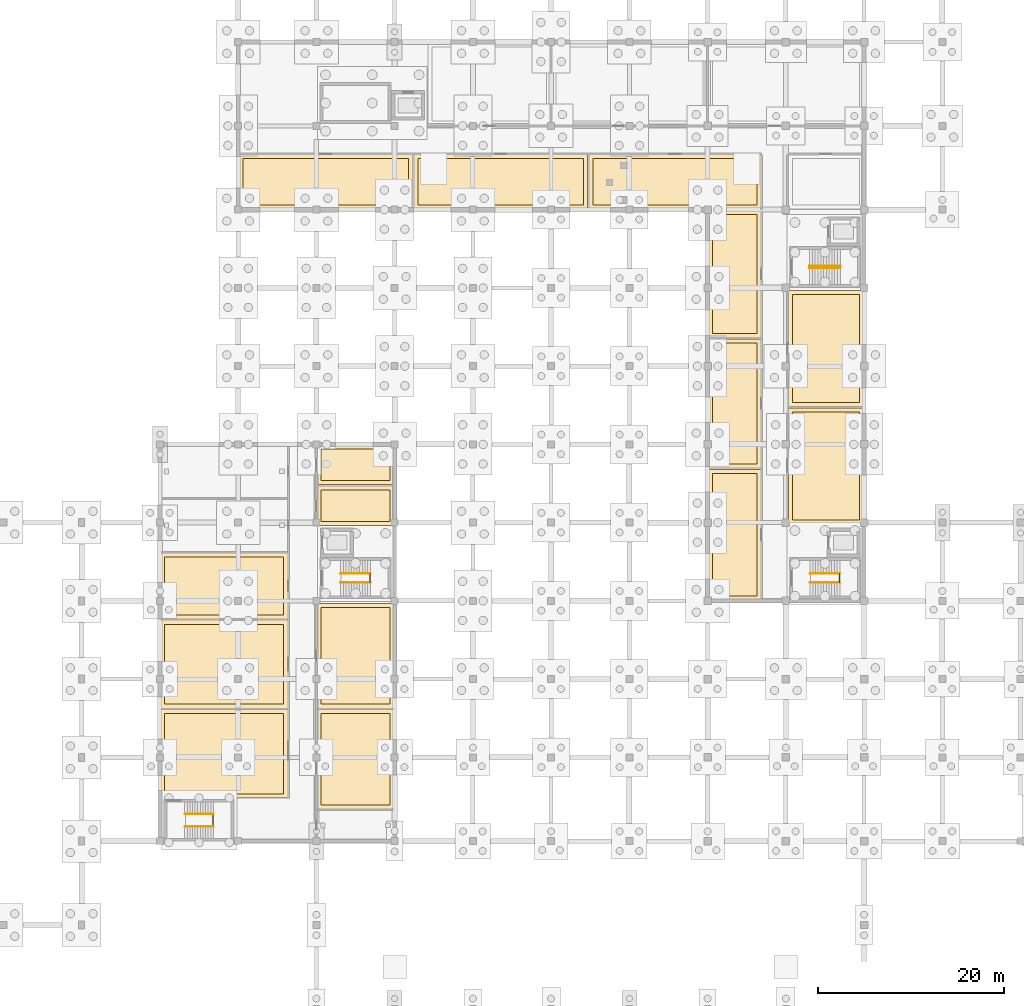
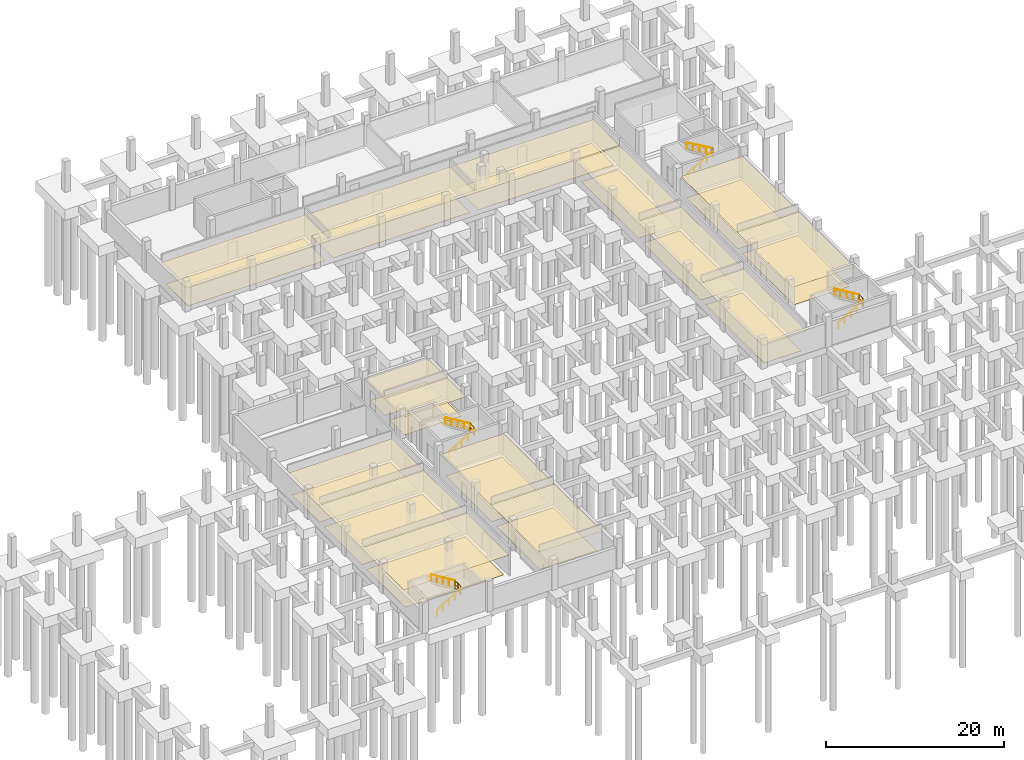
# One storey, part 17 of 20: 30 coverings, 11 railings.
"""IFC4 building model written with IfcOpenShell, lengths in metres."""

from ifc_helpers import new_model, si_unit, direction, frame, origin, origin_2d, place, context, subcontext, project, spatial, polyline, circle, outline, extrude, material, layer, layer_set, type_object, element, save


model = new_model("IFC4")

# Units and contexts
model_context = context("Model", 3, precision=1e-05, world=origin(), true_north=direction((0.0, 1.0)))
body_context = subcontext(model_context, "Body", "Model", "MODEL_VIEW")
ifc_project = project(units=[si_unit("LENGTHUNIT", "METRE"), si_unit("AREAUNIT", "SQUARE_METRE"), si_unit("VOLUMEUNIT", "CUBIC_METRE"), si_unit("PLANEANGLEUNIT", "RADIAN"), si_unit("MASSUNIT", "GRAM", prefix="KILO")], contexts=[model_context])

# Site, building, storey
site_placement = place(None, origin())
site = spatial("IfcSite", under=ifc_project, at=site_placement, CompositionType="ELEMENT")
building_placement = place(site_placement, origin())
building = spatial("IfcBuilding", under=site, at=building_placement, Name="Vireocrest Preparatory School", CompositionType="ELEMENT")
storey_placement = place(building_placement, frame((0.0, 0.0, -4.199951171875)))
storey = spatial("IfcBuildingStorey", under=building, at=storey_placement, Name="B01", CompositionType="ELEMENT", Elevation=-4.199951171875)

# Coverings
ifc_material_1 = material(Name="Mineral fibre acoustic ceiling tile")
ifc_layer_1 = layer(ifc_material_1, 0.02490234375)
ifc_layer_set_1 = layer_set([ifc_layer_1], Name="Mineral fibre acoustic ceiling tile")
covering_type_1 = type_object("IfcCoveringType", Name="Acoustic Mineral-Fibre Suspended Ceiling", PredefinedType="CEILING", material=ifc_layer_set_1)
covering_1_placement = place(storey_placement, frame((0.0, 0.0, 2.800048828125)))
element("IfcCovering", 1, at=covering_1_placement, inside=storey, type_object=covering_type_1, Name="Suspended Acoustic Ceiling B01-WW01", PredefinedType="CEILING", context=body_context, shape_type="SweptSolid", body=[
    extrude(outline(polyline([(33.669921875, 22.6201171875), (47.330078125, 22.6201171875), (47.330078125, 32.1298828125), (33.669921875, 32.1298828125), (33.669921875, 22.6201171875)])), origin(), (0.0, 0.0, 1.0), 0.02490234375),
])
covering_2_placement = place(storey_placement, frame((0.0, 0.0, 2.800048828125)))
element("IfcCovering", 2, at=covering_2_placement, inside=storey, type_object=covering_type_1, Name="Suspended Acoustic Ceiling B01-WW02", PredefinedType="CEILING", context=body_context, shape_type="SweptSolid", body=[
    extrude(outline(polyline([(33.669921875, 32.27001953125), (47.330078125, 32.27001953125), (47.330078125, 41.72998046875), (33.669921875, 41.72998046875), (33.669921875, 32.27001953125)])), origin(), (0.0, 0.0, 1.0), 0.02490234375),
])
covering_3_placement = place(storey_placement, frame((0.0, 0.0, 2.800048828125)))
element("IfcCovering", 3, at=covering_3_placement, inside=storey, type_object=covering_type_1, Name="Suspended Acoustic Ceiling B01-WW03", PredefinedType="CEILING", context=body_context, shape_type="SweptSolid", body=[
    extrude(outline(polyline([(33.669921875, 41.8701171875), (47.330078125, 41.8701171875), (47.330078125, 48.929931640625), (33.669921875, 48.929931640625), (33.669921875, 41.8701171875)])), origin(), (0.0, 0.0, 1.0), 0.02490234375),
])
covering_4_placement = place(storey_placement, frame((0.0, 0.0, 2.800048828125)))
element("IfcCovering", 4, at=covering_4_placement, inside=storey, type_object=covering_type_1, Name="Suspended Acoustic Ceiling B01-WE02", PredefinedType="CEILING", context=body_context, shape_type="SweptSolid", body=[
    extrude(outline(polyline([(50.469970703125, 21.469970703125), (58.72998046875, 21.469970703125), (58.72998046875, 32.1298828125), (50.469970703125, 32.1298828125), (50.469970703125, 21.469970703125)])), origin(), (0.0, 0.0, 1.0), 0.02490234375),
])
covering_5_placement = place(storey_placement, frame((0.0, 0.0, 2.800048828125)))
element("IfcCovering", 5, at=covering_5_placement, inside=storey, type_object=covering_type_1, Name="Suspended Acoustic Ceiling B01-WE03", PredefinedType="CEILING", context=body_context, shape_type="SweptSolid", body=[
    extrude(outline(polyline([(50.469970703125, 32.27001953125), (58.72998046875, 32.27001953125), (58.72998046875, 43.530029296875), (50.469970703125, 43.530029296875), (50.469970703125, 32.27001953125)])), origin(), (0.0, 0.0, 1.0), 0.02490234375),
])
covering_6_placement = place(storey_placement, frame((0.0, 0.0, 2.800048828125)))
element("IfcCovering", 6, at=covering_6_placement, inside=storey, type_object=covering_type_1, Name="Suspended Acoustic Ceiling B01-WEN01", PredefinedType="CEILING", context=body_context, shape_type="SweptSolid", body=[
    extrude(outline(polyline([(50.469970703125, 51.8701171875), (58.72998046875, 51.8701171875), (58.72998046875, 56.1298828125), (50.469970703125, 56.1298828125), (50.469970703125, 51.8701171875)])), origin(), (0.0, 0.0, 1.0), 0.02490234375),
])
covering_7_placement = place(storey_placement, frame((0.0, 0.0, 2.800048828125)))
element("IfcCovering", 7, at=covering_7_placement, inside=storey, type_object=covering_type_1, Name="Suspended Acoustic Ceiling B01-WEN02", PredefinedType="CEILING", context=body_context, shape_type="SweptSolid", body=[
    extrude(outline(polyline([(50.469970703125, 56.27001953125), (58.72998046875, 56.27001953125), (58.72998046875, 60.530029296875), (50.469970703125, 60.530029296875), (50.469970703125, 56.27001953125)])), origin(), (0.0, 0.0, 1.0), 0.02490234375),
])
covering_8_placement = place(storey_placement, frame((0.0, 0.0, 2.800048828125)))
element("IfcCovering", 8, at=covering_8_placement, inside=storey, type_object=covering_type_1, Name="Suspended Acoustic Ceiling B01-NP01", PredefinedType="CEILING", context=body_context, shape_type="SweptSolid", body=[
    extrude(outline(polyline([(42.070068359375, 85.8701171875), (60.72998046875, 85.8701171875), (60.72998046875, 91.72998046875), (42.070068359375, 91.72998046875), (42.070068359375, 85.8701171875)])), origin(), (0.0, 0.0, 1.0), 0.02490234375),
])
covering_9_placement = place(storey_placement, frame((0.0, 0.0, 2.800048828125)))
element("IfcCovering", 9, at=covering_9_placement, inside=storey, type_object=covering_type_1, Name="Suspended Acoustic Ceiling B01-NP02", PredefinedType="CEILING", context=body_context, shape_type="SweptSolid", body=[
    extrude(outline(polyline([(60.8701171875, 85.8701171875), (79.530029296875, 85.8701171875), (79.530029296875, 91.72998046875), (60.8701171875, 91.72998046875), (60.8701171875, 85.8701171875)])), origin(), (0.0, 0.0, 1.0), 0.02490234375),
])
covering_10_placement = place(storey_placement, frame((0.0, 0.0, 2.800048828125)))
element("IfcCovering", 10, at=covering_10_placement, inside=storey, type_object=covering_type_1, Name="Suspended Acoustic Ceiling B01-NP03", PredefinedType="CEILING", context=body_context, shape_type="SweptSolid", body=[
    extrude(outline(polyline([(79.669921875, 85.8701171875), (98.1298828125, 85.8701171875), (98.1298828125, 91.72998046875), (79.669921875, 91.72998046875), (79.669921875, 85.8701171875)])), origin(), (0.0, 0.0, 1.0), 0.02490234375),
])
covering_11_placement = place(storey_placement, frame((0.0, 0.0, 2.800048828125)))
element("IfcCovering", 11, at=covering_11_placement, inside=storey, type_object=covering_type_1, Name="Suspended Acoustic Ceiling B01-EPW01", PredefinedType="CEILING", context=body_context, shape_type="SweptSolid", body=[
    extrude(outline(polyline([(92.469970703125, 43.8701171875), (98.1298828125, 43.8701171875), (98.1298828125, 57.929931640625), (92.469970703125, 57.929931640625), (92.469970703125, 43.8701171875)])), origin(), (0.0, 0.0, 1.0), 0.02490234375),
])
covering_12_placement = place(storey_placement, frame((0.0, 0.0, 2.800048828125)))
element("IfcCovering", 12, at=covering_12_placement, inside=storey, type_object=covering_type_1, Name="Suspended Acoustic Ceiling B01-EPW02", PredefinedType="CEILING", context=body_context, shape_type="SweptSolid", body=[
    extrude(outline(polyline([(92.469970703125, 58.070068359375), (98.1298828125, 58.070068359375), (98.1298828125, 71.929931640625), (92.469970703125, 71.929931640625), (92.469970703125, 58.070068359375)])), origin(), (0.0, 0.0, 1.0), 0.02490234375),
])
covering_13_placement = place(storey_placement, frame((0.0, 0.0, 2.800048828125)))
element("IfcCovering", 13, at=covering_13_placement, inside=storey, type_object=covering_type_1, Name="Suspended Acoustic Ceiling B01-EPW03", PredefinedType="CEILING", context=body_context, shape_type="SweptSolid", body=[
    extrude(outline(polyline([(92.469970703125, 72.070068359375), (98.1298828125, 72.070068359375), (98.1298828125, 85.72998046875), (92.469970703125, 85.72998046875), (92.469970703125, 72.070068359375)])), origin(), (0.0, 0.0, 1.0), 0.02490234375),
])
covering_14_placement = place(storey_placement, frame((0.0, 0.0, 2.800048828125)))
element("IfcCovering", 14, at=covering_14_placement, inside=storey, type_object=covering_type_1, Name="Suspended Acoustic Ceiling B01-EPE01", PredefinedType="CEILING", context=body_context, shape_type="SweptSolid", body=[
    extrude(outline(polyline([(101.070068359375, 52.070068359375), (109.1298828125, 52.070068359375), (109.1298828125, 64.530029296875), (101.070068359375, 64.530029296875), (101.070068359375, 52.070068359375)])), origin(), (0.0, 0.0, 1.0), 0.02490234375),
])
covering_15_placement = place(storey_placement, frame((0.0, 0.0, 2.800048828125)))
element("IfcCovering", 15, at=covering_15_placement, inside=storey, type_object=covering_type_1, Name="Suspended Acoustic Ceiling B01-EPE02", PredefinedType="CEILING", context=body_context, shape_type="SweptSolid", body=[
    extrude(outline(polyline([(101.070068359375, 64.669921875), (109.1298828125, 64.669921875), (109.1298828125, 77.1298828125), (101.070068359375, 77.1298828125), (101.070068359375, 64.669921875)])), origin(), (0.0, 0.0, 1.0), 0.02490234375),
])

# Railings
ifc_material_2 = material(Name="Brushed stainless steel AISI 316", Category="steel")
railing_type_1 = type_object("IfcRailingType", Name="Post-and-Rail Guard Balustrade 1120", PredefinedType="BALUSTRADE", material=ifc_material_2)
for number, where, name in (
    (16, (56.175048828125, 45.780029296875, 2.099853515625), "Half-Landing Well Guard ST1-B01"),
    (17, (106.574951171875, 45.780029296875, 2.099853515625), "Half-Landing Well Guard ST2-B01"),
):
    element("IfcRailing", number, at=place(storey_placement, frame(where)), inside=storey, type_object=railing_type_1, Name=name, PredefinedType="BALUSTRADE", context=body_context, shape_type="SweptSolid", body=[
        extrude(circle(Radius=0.02392578125, at=origin_2d()), frame((0.0, 0.0, 1.09619140625), z_axis=(0.0, 1.0, 0.0), x_axis=(-1.0, 0.0, 0.0)), (0.0, 0.0, 1.0), 0.93994140625),
        extrude(circle(Radius=0.01806640625, at=origin_2d()), frame((0.0, 0.0, 0.56005859375), z_axis=(0.0, 1.0, 0.0), x_axis=(-1.0, 0.0, 0.0)), (0.0, 0.0, 1.0), 0.93994140625),
        extrude(circle(Radius=0.01806640625, at=origin_2d()), frame((0.0, 0.0, 0.10009765625), z_axis=(0.0, 1.0, 0.0), x_axis=(-1.0, 0.0, 0.0)), (0.0, 0.0, 1.0), 0.93994140625),
        extrude(circle(Radius=0.02099609375, at=origin_2d()), origin(), (0.0, 0.0, 1.0), 1.072021484375),
        extrude(circle(Radius=0.02099609375, at=origin_2d()), frame((0.0, 0.93994140625, 0.0)), (0.0, 0.0, 1.0), 1.072021484375),
    ])
railing_1_placement = place(storey_placement, frame((39.320068359375, 19.580078125, 2.099853515625)))
element("IfcRailing", 18, at=railing_1_placement, inside=storey, type_object=railing_type_1, Name="Half-Landing Well Guard ST5-B01", PredefinedType="BALUSTRADE", context=body_context, shape_type="SweptSolid", body=[
    extrude(circle(Radius=0.02392578125, at=origin_2d()), frame((0.0, 0.0, 1.09619140625), z_axis=(0.0, 1.0, 0.0), x_axis=(-1.0, 0.0, 0.0)), (0.0, 0.0, 1.0), 1.33984375),
    extrude(circle(Radius=0.01806640625, at=origin_2d()), frame((0.0, 0.0, 0.56005859375), z_axis=(0.0, 1.0, 0.0), x_axis=(-1.0, 0.0, 0.0)), (0.0, 0.0, 1.0), 1.33984375),
    extrude(circle(Radius=0.01806640625, at=origin_2d()), frame((0.0, 0.0, 0.10009765625), z_axis=(0.0, 1.0, 0.0), x_axis=(-1.0, 0.0, 0.0)), (0.0, 0.0, 1.0), 1.33984375),
    extrude(circle(Radius=0.02099609375, at=origin_2d()), origin(), (0.0, 0.0, 1.0), 1.072021484375),
    extrude(circle(Radius=0.02099609375, at=origin_2d()), frame((0.0, 0.669921875, 0.0)), (0.0, 0.0, 1.0), 1.072021484375),
    extrude(circle(Radius=0.02099609375, at=origin_2d()), frame((0.0, 1.33984375, 0.0)), (0.0, 0.0, 1.0), 1.072021484375),
])

# Coverings
ifc_material_3 = material(Name="Resilient acoustic linoleum flooring")
ifc_layer_2 = layer(ifc_material_3, 0.014892578125)
ifc_layer_set_2 = layer_set([ifc_layer_2], Name="Resilient acoustic linoleum flooring")
covering_type_2 = type_object("IfcCoveringType", Name="Resilient Linoleum Classroom Flooring", PredefinedType="FLOORING", material=ifc_layer_set_2)
covering_16_placement = place(storey_placement, origin())
element("IfcCovering", 19, at=covering_16_placement, inside=storey, type_object=covering_type_2, Name="Flooring FL3 B01-WW01", PredefinedType="FLOORING", context=body_context, shape_type="SweptSolid", body=[
    extrude(outline(polyline([(34.110107421875, 23.06005859375), (46.889892578125, 23.06005859375), (46.889892578125, 31.68994140625), (34.110107421875, 31.68994140625), (34.110107421875, 23.06005859375)])), origin(), (0.0, 0.0, 1.0), 0.014892578125),
])
covering_17_placement = place(storey_placement, origin())
element("IfcCovering", 20, at=covering_17_placement, inside=storey, type_object=covering_type_2, Name="Flooring FL3 B01-WW02", PredefinedType="FLOORING", context=body_context, shape_type="SweptSolid", body=[
    extrude(outline(polyline([(34.110107421875, 32.7099609375), (46.889892578125, 32.7099609375), (46.889892578125, 41.2900390625), (34.110107421875, 41.2900390625), (34.110107421875, 32.7099609375)])), origin(), (0.0, 0.0, 1.0), 0.014892578125),
])
covering_18_placement = place(storey_placement, origin())
element("IfcCovering", 21, at=covering_18_placement, inside=storey, type_object=covering_type_2, Name="Flooring FL3 B01-WW03", PredefinedType="FLOORING", context=body_context, shape_type="SweptSolid", body=[
    extrude(outline(polyline([(34.110107421875, 42.31005859375), (46.889892578125, 42.31005859375), (46.889892578125, 48.489990234375), (34.110107421875, 48.489990234375), (34.110107421875, 42.31005859375)])), origin(), (0.0, 0.0, 1.0), 0.014892578125),
])
covering_19_placement = place(storey_placement, origin())
element("IfcCovering", 22, at=covering_19_placement, inside=storey, type_object=covering_type_2, Name="Flooring FL3 B01-WE02", PredefinedType="FLOORING", context=body_context, shape_type="SweptSolid", body=[
    extrude(outline(polyline([(50.909912109375, 21.909912109375), (58.2900390625, 21.909912109375), (58.2900390625, 31.68994140625), (50.909912109375, 31.68994140625), (50.909912109375, 21.909912109375)])), origin(), (0.0, 0.0, 1.0), 0.014892578125),
])
covering_20_placement = place(storey_placement, origin())
element("IfcCovering", 23, at=covering_20_placement, inside=storey, type_object=covering_type_2, Name="Flooring FL3 B01-WE03", PredefinedType="FLOORING", context=body_context, shape_type="SweptSolid", body=[
    extrude(outline(polyline([(50.909912109375, 32.7099609375), (58.2900390625, 32.7099609375), (58.2900390625, 43.090087890625), (50.909912109375, 43.090087890625), (50.909912109375, 32.7099609375)])), origin(), (0.0, 0.0, 1.0), 0.014892578125),
])
covering_21_placement = place(storey_placement, origin())
element("IfcCovering", 24, at=covering_21_placement, inside=storey, type_object=covering_type_2, Name="Flooring FL3 B01-WEN01", PredefinedType="FLOORING", context=body_context, shape_type="SweptSolid", body=[
    extrude(outline(polyline([(50.909912109375, 52.31005859375), (58.2900390625, 52.31005859375), (58.2900390625, 55.68994140625), (50.909912109375, 55.68994140625), (50.909912109375, 52.31005859375)])), origin(), (0.0, 0.0, 1.0), 0.014892578125),
])
covering_22_placement = place(storey_placement, origin())
element("IfcCovering", 25, at=covering_22_placement, inside=storey, type_object=covering_type_2, Name="Flooring FL3 B01-WEN02", PredefinedType="FLOORING", context=body_context, shape_type="SweptSolid", body=[
    extrude(outline(polyline([(50.909912109375, 56.7099609375), (58.2900390625, 56.7099609375), (58.2900390625, 60.090087890625), (50.909912109375, 60.090087890625), (50.909912109375, 56.7099609375)])), origin(), (0.0, 0.0, 1.0), 0.014892578125),
])
covering_23_placement = place(storey_placement, origin())
element("IfcCovering", 26, at=covering_23_placement, inside=storey, type_object=covering_type_2, Name="Flooring FL3 B01-NP01", PredefinedType="FLOORING", context=body_context, shape_type="SweptSolid", body=[
    extrude(outline(polyline([(42.510009765625, 86.31005859375), (60.2900390625, 86.31005859375), (60.2900390625, 91.2900390625), (42.510009765625, 91.2900390625), (42.510009765625, 86.31005859375)])), origin(), (0.0, 0.0, 1.0), 0.014892578125),
])
covering_24_placement = place(storey_placement, origin())
element("IfcCovering", 27, at=covering_24_placement, inside=storey, type_object=covering_type_2, Name="Flooring FL3 B01-NP02", PredefinedType="FLOORING", context=body_context, shape_type="SweptSolid", body=[
    extrude(outline(polyline([(61.31005859375, 86.31005859375), (79.090087890625, 86.31005859375), (79.090087890625, 91.2900390625), (61.31005859375, 91.2900390625), (61.31005859375, 86.31005859375)])), origin(), (0.0, 0.0, 1.0), 0.014892578125),
])
covering_25_placement = place(storey_placement, origin())
element("IfcCovering", 28, at=covering_25_placement, inside=storey, type_object=covering_type_2, Name="Flooring FL3 B01-NP03", PredefinedType="FLOORING", context=body_context, shape_type="SweptSolid", body=[
    extrude(outline(polyline([(80.110107421875, 86.31005859375), (97.68994140625, 86.31005859375), (97.68994140625, 91.2900390625), (80.110107421875, 91.2900390625), (80.110107421875, 86.31005859375)])), origin(), (0.0, 0.0, 1.0), 0.014892578125),
])
covering_26_placement = place(storey_placement, origin())
element("IfcCovering", 29, at=covering_26_placement, inside=storey, type_object=covering_type_2, Name="Flooring FL3 B01-EPW01", PredefinedType="FLOORING", context=body_context, shape_type="SweptSolid", body=[
    extrude(outline(polyline([(92.909912109375, 44.31005859375), (97.68994140625, 44.31005859375), (97.68994140625, 57.489990234375), (92.909912109375, 57.489990234375), (92.909912109375, 44.31005859375)])), origin(), (0.0, 0.0, 1.0), 0.014892578125),
])
covering_27_placement = place(storey_placement, origin())
element("IfcCovering", 30, at=covering_27_placement, inside=storey, type_object=covering_type_2, Name="Flooring FL3 B01-EPW02", PredefinedType="FLOORING", context=body_context, shape_type="SweptSolid", body=[
    extrude(outline(polyline([(92.909912109375, 58.510009765625), (97.68994140625, 58.510009765625), (97.68994140625, 71.489990234375), (92.909912109375, 71.489990234375), (92.909912109375, 58.510009765625)])), origin(), (0.0, 0.0, 1.0), 0.014892578125),
])
covering_28_placement = place(storey_placement, origin())
element("IfcCovering", 31, at=covering_28_placement, inside=storey, type_object=covering_type_2, Name="Flooring FL3 B01-EPW03", PredefinedType="FLOORING", context=body_context, shape_type="SweptSolid", body=[
    extrude(outline(polyline([(92.909912109375, 72.510009765625), (97.68994140625, 72.510009765625), (97.68994140625, 85.2900390625), (92.909912109375, 85.2900390625), (92.909912109375, 72.510009765625)])), origin(), (0.0, 0.0, 1.0), 0.014892578125),
])
covering_29_placement = place(storey_placement, origin())
element("IfcCovering", 32, at=covering_29_placement, inside=storey, type_object=covering_type_2, Name="Flooring FL3 B01-EPE01", PredefinedType="FLOORING", context=body_context, shape_type="SweptSolid", body=[
    extrude(outline(polyline([(101.510009765625, 52.510009765625), (108.68994140625, 52.510009765625), (108.68994140625, 64.090087890625), (101.510009765625, 64.090087890625), (101.510009765625, 52.510009765625)])), origin(), (0.0, 0.0, 1.0), 0.014892578125),
])
covering_30_placement = place(storey_placement, origin())
element("IfcCovering", 33, at=covering_30_placement, inside=storey, type_object=covering_type_2, Name="Flooring FL3 B01-EPE02", PredefinedType="FLOORING", context=body_context, shape_type="SweptSolid", body=[
    extrude(outline(polyline([(101.510009765625, 65.110107421875), (108.68994140625, 65.110107421875), (108.68994140625, 76.68994140625), (101.510009765625, 76.68994140625), (101.510009765625, 65.110107421875)])), origin(), (0.0, 0.0, 1.0), 0.014892578125),
])

# Railings
railing_type_2 = type_object("IfcRailingType", Name="Stair Pitch Handrail 900", PredefinedType="HANDRAIL", material=ifc_material_2)
railing_2_placement = place(storey_placement, frame((53.0048828125, 45.780029296875, 0.175048828125)))
element("IfcRailing", 34, at=railing_2_placement, inside=storey, type_object=railing_type_2, Name="Stair Handrail ST1-B01-HR1", PredefinedType="HANDRAIL", context=body_context, shape_type="SweptSolid", body=[
    extrude(circle(Radius=0.02392578125, at=origin_2d()), frame((0.0, 0.0, 0.8759765625), z_axis=(0.856224141417, 0.0, 0.516604509905), x_axis=(0.0, 1.0, 0.0)), (0.0, 0.0, 1.0), 3.725830078125),
    extrude(circle(Radius=0.02099609375, at=origin_2d()), origin(), (0.0, 0.0, 1.0), 0.851806640625),
    extrude(circle(Radius=0.02099609375, at=origin_2d()), frame((0.797607421875, 0.0, 0.481201171875)), (0.0, 0.0, 1.0), 0.851806640625),
    extrude(circle(Radius=0.02099609375, at=origin_2d()), frame((1.59521484375, 0.0, 0.96240234375)), (0.0, 0.0, 1.0), 0.851806640625),
    extrude(circle(Radius=0.02099609375, at=origin_2d()), frame((2.392578125, 0.0, 1.443603515625)), (0.0, 0.0, 1.0), 0.851806640625),
    extrude(circle(Radius=0.02099609375, at=origin_2d()), frame((3.190185546875, 0.0, 1.9248046875)), (0.0, 0.0, 1.0), 0.851806640625),
])
railing_3_placement = place(storey_placement, frame((56.195068359375, 46.719970703125, 2.27490234375)))
element("IfcRailing", 35, at=railing_3_placement, inside=storey, type_object=railing_type_2, Name="Stair Handrail ST1-B01-HR2", PredefinedType="HANDRAIL", context=body_context, shape_type="SweptSolid", body=[
    extrude(circle(Radius=0.02392578125, at=origin_2d()), frame((0.0, 0.0, 0.8759765625), z_axis=(-0.856195157123, 0.0, 0.516652545643), x_axis=(0.0, -1.0, 0.0)), (0.0, 0.0, 1.0), 3.72607421875),
    extrude(circle(Radius=0.02099609375, at=origin_2d()), origin(), (0.0, 0.0, 1.0), 0.851806640625),
    extrude(circle(Radius=0.02099609375, at=origin_2d()), frame((-0.797607421875, 0.0, 0.481201171875)), (0.0, 0.0, 1.0), 0.851806640625),
    extrude(circle(Radius=0.02099609375, at=origin_2d()), frame((-1.59521484375, 0.0, 0.96240234375)), (0.0, 0.0, 1.0), 0.851806640625),
    extrude(circle(Radius=0.02099609375, at=origin_2d()), frame((-2.392578125, 0.0, 1.44384765625)), (0.0, 0.0, 1.0), 0.851806640625),
    extrude(circle(Radius=0.02099609375, at=origin_2d()), frame((-3.190185546875, 0.0, 1.925048828125)), (0.0, 0.0, 1.0), 0.851806640625),
])
railing_4_placement = place(storey_placement, frame((103.405029296875, 45.780029296875, 0.175048828125)))
element("IfcRailing", 36, at=railing_4_placement, inside=storey, type_object=railing_type_2, Name="Stair Handrail ST2-B01-HR1", PredefinedType="HANDRAIL", context=body_context, shape_type="SweptSolid", body=[
    extrude(circle(Radius=0.02392578125, at=origin_2d()), frame((0.0, 0.0, 0.8759765625), z_axis=(0.856206652436, 0.0, 0.516633495163), x_axis=(0.0, 1.0, 0.0)), (0.0, 0.0, 1.0), 3.7255859375),
    extrude(circle(Radius=0.02099609375, at=origin_2d()), origin(), (0.0, 0.0, 1.0), 0.851806640625),
    extrude(circle(Radius=0.02099609375, at=origin_2d()), frame((0.79736328125, 0.0, 0.481201171875)), (0.0, 0.0, 1.0), 0.851806640625),
    extrude(circle(Radius=0.02099609375, at=origin_2d()), frame((1.594970703125, 0.0, 0.96240234375)), (0.0, 0.0, 1.0), 0.851806640625),
    extrude(circle(Radius=0.02099609375, at=origin_2d()), frame((2.392578125, 0.0, 1.443603515625)), (0.0, 0.0, 1.0), 0.851806640625),
    extrude(circle(Radius=0.02099609375, at=origin_2d()), frame((3.18994140625, 0.0, 1.9248046875)), (0.0, 0.0, 1.0), 0.851806640625),
])
railing_5_placement = place(storey_placement, frame((106.594970703125, 46.719970703125, 2.27490234375)))
element("IfcRailing", 37, at=railing_5_placement, inside=storey, type_object=railing_type_2, Name="Stair Handrail ST2-B01-HR2", PredefinedType="HANDRAIL", context=body_context, shape_type="SweptSolid", body=[
    extrude(circle(Radius=0.02392578125, at=origin_2d()), frame((0.0, 0.0, 0.8759765625), z_axis=(-0.856177665481, 0.0, 0.516681531633), x_axis=(0.0, -1.0, 0.0)), (0.0, 0.0, 1.0), 3.725830078125),
    extrude(circle(Radius=0.02099609375, at=origin_2d()), origin(), (0.0, 0.0, 1.0), 0.851806640625),
    extrude(circle(Radius=0.02099609375, at=origin_2d()), frame((-0.79736328125, 0.0, 0.481201171875)), (0.0, 0.0, 1.0), 0.851806640625),
    extrude(circle(Radius=0.02099609375, at=origin_2d()), frame((-1.594970703125, 0.0, 0.96240234375)), (0.0, 0.0, 1.0), 0.851806640625),
    extrude(circle(Radius=0.02099609375, at=origin_2d()), frame((-2.392578125, 0.0, 1.44384765625)), (0.0, 0.0, 1.0), 0.851806640625),
    extrude(circle(Radius=0.02099609375, at=origin_2d()), frame((-3.18994140625, 0.0, 1.925048828125)), (0.0, 0.0, 1.0), 0.851806640625),
])
railing_6_placement = place(storey_placement, frame((103.35009765625, 79.530029296875, 0.175048828125)))
element("IfcRailing", 38, at=railing_6_placement, inside=storey, type_object=railing_type_2, Name="Stair Handrail ST4-B01-HR1", PredefinedType="HANDRAIL", context=body_context, shape_type="SweptSolid", body=[
    extrude(circle(Radius=0.02392578125, at=origin_2d()), frame((0.0, 0.0, 0.8759765625), z_axis=(0.863788172461, 0.0, 0.503855131081), x_axis=(0.0, 1.0, 0.0)), (0.0, 0.0, 1.0), 3.820068359375),
    extrude(circle(Radius=0.02099609375, at=origin_2d()), origin(), (0.0, 0.0, 1.0), 0.851806640625),
    extrude(circle(Radius=0.02099609375, at=origin_2d()), frame((0.824951171875, 0.0, 0.481201171875)), (0.0, 0.0, 1.0), 0.851806640625),
    extrude(circle(Radius=0.02099609375, at=origin_2d()), frame((1.64990234375, 0.0, 0.96240234375)), (0.0, 0.0, 1.0), 0.851806640625),
    extrude(circle(Radius=0.02099609375, at=origin_2d()), frame((2.474853515625, 0.0, 1.443603515625)), (0.0, 0.0, 1.0), 0.851806640625),
    extrude(circle(Radius=0.02099609375, at=origin_2d()), frame((3.2998046875, 0.0, 1.9248046875)), (0.0, 0.0, 1.0), 0.851806640625),
])
railing_7_placement = place(storey_placement, frame((106.64990234375, 79.77001953125, 2.27490234375)))
element("IfcRailing", 39, at=railing_7_placement, inside=storey, type_object=railing_type_2, Name="Stair Handrail ST4-B01-HR2", PredefinedType="HANDRAIL", context=body_context, shape_type="SweptSolid", body=[
    extrude(circle(Radius=0.02392578125, at=origin_2d()), frame((0.0, 0.0, 0.8759765625), z_axis=(-0.863760357493, 0.0, 0.503902812876), x_axis=(0.0, -1.0, 0.0)), (0.0, 0.0, 1.0), 3.8203125),
    extrude(circle(Radius=0.02099609375, at=origin_2d()), origin(), (0.0, 0.0, 1.0), 0.851806640625),
    extrude(circle(Radius=0.02099609375, at=origin_2d()), frame((-0.824951171875, 0.0, 0.481201171875)), (0.0, 0.0, 1.0), 0.851806640625),
    extrude(circle(Radius=0.02099609375, at=origin_2d()), frame((-1.64990234375, 0.0, 0.96240234375)), (0.0, 0.0, 1.0), 0.851806640625),
    extrude(circle(Radius=0.02099609375, at=origin_2d()), frame((-2.474853515625, 0.0, 1.44384765625)), (0.0, 0.0, 1.0), 0.851806640625),
    extrude(circle(Radius=0.02099609375, at=origin_2d()), frame((-3.2998046875, 0.0, 1.925048828125)), (0.0, 0.0, 1.0), 0.851806640625),
])
railing_8_placement = place(storey_placement, frame((36.260009765625, 19.580078125, 0.175048828125)))
element("IfcRailing", 40, at=railing_8_placement, inside=storey, type_object=railing_type_2, Name="Stair Handrail ST5-B01-HR1", PredefinedType="HANDRAIL", context=body_context, shape_type="SweptSolid", body=[
    extrude(circle(Radius=0.02392578125, at=origin_2d()), frame((0.0, 0.0, 0.8759765625), z_axis=(0.848028513186, 0.0, 0.529950602248), x_axis=(0.0, 1.0, 0.0)), (0.0, 0.0, 1.0), 3.632080078125),
    extrude(circle(Radius=0.02099609375, at=origin_2d()), origin(), (0.0, 0.0, 1.0), 0.851806640625),
    extrude(circle(Radius=0.02099609375, at=origin_2d()), frame((0.77001953125, 0.0, 0.481201171875)), (0.0, 0.0, 1.0), 0.851806640625),
    extrude(circle(Radius=0.02099609375, at=origin_2d()), frame((1.5400390625, 0.0, 0.96240234375)), (0.0, 0.0, 1.0), 0.851806640625),
    extrude(circle(Radius=0.02099609375, at=origin_2d()), frame((2.31005859375, 0.0, 1.443603515625)), (0.0, 0.0, 1.0), 0.851806640625),
    extrude(circle(Radius=0.02099609375, at=origin_2d()), frame((3.080078125, 0.0, 1.9248046875)), (0.0, 0.0, 1.0), 0.851806640625),
])
railing_9_placement = place(storey_placement, frame((39.340087890625, 20.919921875, 2.27490234375)))
element("IfcRailing", 41, at=railing_9_placement, inside=storey, type_object=railing_type_2, Name="Stair Handrail ST5-B01-HR2", PredefinedType="HANDRAIL", context=body_context, shape_type="SweptSolid", body=[
    extrude(circle(Radius=0.02392578125, at=origin_2d()), frame((0.0, 0.0, 0.8759765625), z_axis=(-0.847998304005, 0.0, 0.529998940003), x_axis=(0.0, -1.0, 0.0)), (0.0, 0.0, 1.0), 3.632080078125),
    extrude(circle(Radius=0.02099609375, at=origin_2d()), origin(), (0.0, 0.0, 1.0), 0.851806640625),
    extrude(circle(Radius=0.02099609375, at=origin_2d()), frame((-0.77001953125, 0.0, 0.481201171875)), (0.0, 0.0, 1.0), 0.851806640625),
    extrude(circle(Radius=0.02099609375, at=origin_2d()), frame((-1.5400390625, 0.0, 0.96240234375)), (0.0, 0.0, 1.0), 0.851806640625),
    extrude(circle(Radius=0.02099609375, at=origin_2d()), frame((-2.31005859375, 0.0, 1.44384765625)), (0.0, 0.0, 1.0), 0.851806640625),
    extrude(circle(Radius=0.02099609375, at=origin_2d()), frame((-3.080078125, 0.0, 1.925048828125)), (0.0, 0.0, 1.0), 0.851806640625),
])

save(model, "model.ifc")
